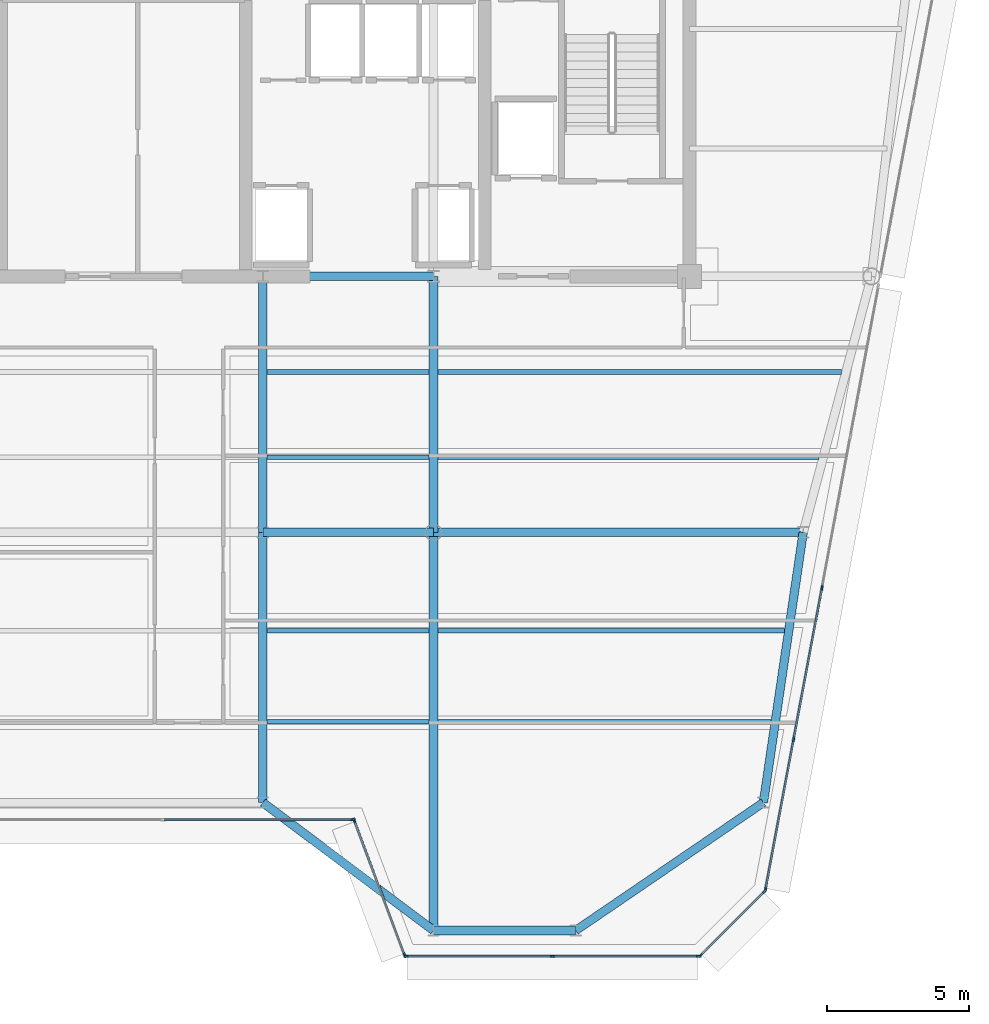
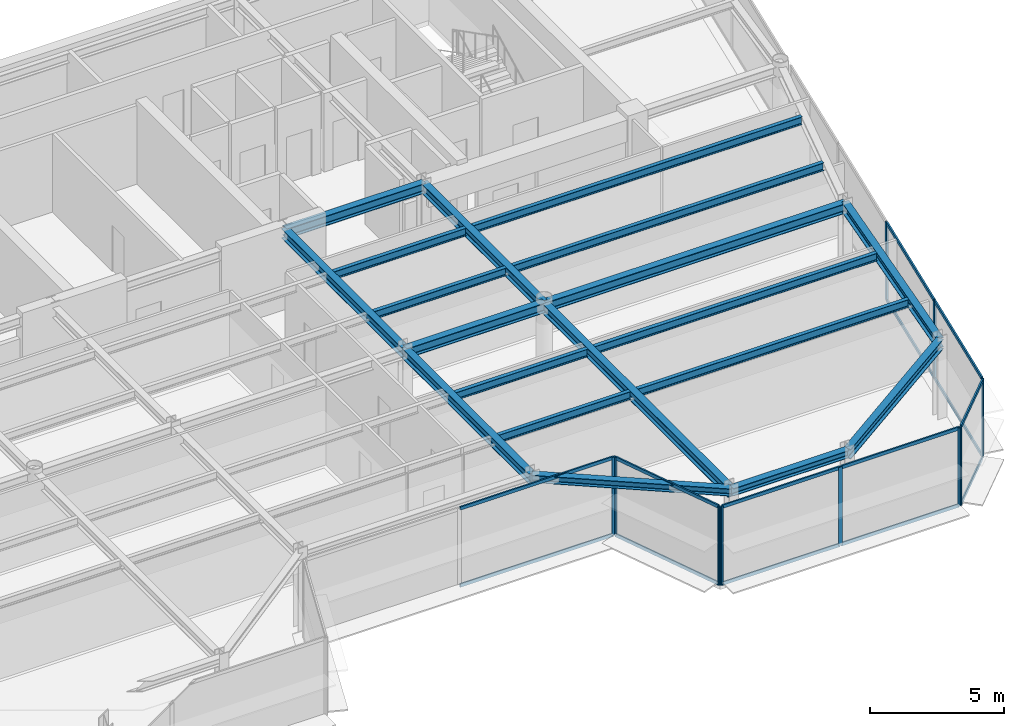
# One storey, part 6 of 20: 25 members, 19 beams, 5 elements without a shape of their own.
"""IFC4 building model written with IfcOpenShell, lengths in metres."""

import ifcopenshell
import ifcopenshell.guid

model = None  # the IFC model being written
_history = None  # IfcOwnerHistory: only IFC2X3 demands one
_inside = {}  # id of a spatial element -> (the spatial element, [elements in it])
_under = {}  # id of a project, library or spatial element -> (it, [spatial elements below it])
_declared = {}  # id of a project -> (the project, [libraries it declares])
_typed = {}  # id of a type object -> (the type object, [elements of that type])
_made_of = {}  # id of a material, layer set ... -> (it, [elements and type objects made of it])


def new_model(schema):
    """Start an empty IFC model of exactly this schema.

    Asked for "IFC4X3", IfcOpenShell would pick the latest addendum, in which some entities
    have other attributes; the version numbers below select the first issue.
    IFC2X3 requires an IfcOwnerHistory on every rooted entity: one is made here for all.
    """
    global model, _history
    if schema == "IFC4X3":
        model = ifcopenshell.file(schema_version=(4, 3, 0, 0))
    else:
        model = ifcopenshell.file(schema=schema)
    _inside.clear()
    _under.clear()
    _declared.clear()
    _typed.clear()
    _made_of.clear()
    _history = None
    if model.schema == "IFC2X3":
        org = make("IfcOrganization", Name="unknown")
        user = make(
            "IfcPersonAndOrganization",
            ThePerson=make("IfcPerson", FamilyName="unknown"),
            TheOrganization=org,
        )
        app = make(
            "IfcApplication",
            ApplicationDeveloper=org,
            Version="unknown",
            ApplicationFullName="unknown",
            ApplicationIdentifier="unknown",
        )
        _history = make(
            "IfcOwnerHistory",
            OwningUser=user,
            OwningApplication=app,
            ChangeAction="ADDED",
            CreationDate=0,
        )
    return model


def make(cls, **values):
    """One entity of the class cls with the attributes given. An attribute that is None is left unset."""
    return model.create_entity(
        cls, **{name: value for name, value in values.items() if value is not None}
    )


def rooted(cls, **values):
    """An entity with a GlobalId (a new one), such as an element, a storey or a relation."""
    return make(cls, GlobalId=ifcopenshell.guid.new(), OwnerHistory=_history, **values)


def si_unit(unit_type, name, prefix=None):
    """IfcSIUnit, for example si_unit("LENGTHUNIT", "METRE", prefix="MILLI")."""
    return make("IfcSIUnit", UnitType=unit_type, Prefix=prefix, Name=name)


def assignment(units):
    """IfcUnitAssignment: the units of a project."""
    return None if units is None else make("IfcUnitAssignment", Units=units)


def point(xyz):
    """IfcCartesianPoint."""
    return None if xyz is None else make("IfcCartesianPoint", Coordinates=xyz)


def direction(xyz):
    """IfcDirection."""
    return None if xyz is None else make("IfcDirection", DirectionRatios=xyz)


def frame(location, z_axis=None, x_axis=None):
    """IfcAxis2Placement3D, a coordinate frame: its origin and axes. An axis left out is left unset."""
    return make(
        "IfcAxis2Placement3D",
        Location=point(location),
        Axis=direction(z_axis),
        RefDirection=direction(x_axis),
    )


def frame_2d(location, x_axis=None):
    """IfcAxis2Placement2D, a coordinate frame in the plane: its origin and x axis."""
    return make(
        "IfcAxis2Placement2D", Location=point(location), RefDirection=direction(x_axis)
    )


def origin():
    """The frame at (0, 0, 0) with its axes left unset."""
    return frame((0.0, 0.0, 0.0))


def origin_2d():
    """The frame at (0, 0) in the plane with its x axis left unset."""
    return frame_2d((0.0, 0.0))


def place(relative_to, where):
    """IfcLocalPlacement: puts the frame where relative to a parent placement (None: the world)."""
    return make(
        "IfcLocalPlacement", PlacementRelTo=relative_to, RelativePlacement=where
    )


def context(
    kind, dimensions, precision=None, world=None, true_north=None, identifier=None
):
    """IfcGeometricRepresentationContext, for example the 3D "Model" context."""
    return make(
        "IfcGeometricRepresentationContext",
        ContextIdentifier=identifier,
        ContextType=kind,
        CoordinateSpaceDimension=dimensions,
        Precision=precision,
        WorldCoordinateSystem=world,
        TrueNorth=true_north,
    )


def subcontext(parent, identifier, kind, view, scale=None):
    """IfcGeometricRepresentationSubContext, for example "Body" below "Model"."""
    return make(
        "IfcGeometricRepresentationSubContext",
        ContextIdentifier=identifier,
        ContextType=kind,
        ParentContext=parent,
        TargetScale=scale,
        TargetView=view,
    )


def project(units=None, contexts=None):
    """IfcProject with its units and contexts."""
    return rooted(
        "IfcProject",
        Name="project",
        RepresentationContexts=contexts,
        UnitsInContext=assignment(units),
    )


def spatial(cls, under=None, at=None, **own):
    """A site, building, storey or space (cls), placed at a placement, below another one or the project."""
    s = rooted(cls, ObjectPlacement=at, **own)
    if under is not None:
        _under.setdefault(under.id(), (under, []))[1].append(s)
    return s


def profile(cls, at=None, kind="AREA", **sizes):
    """A parametric profile (cls). Its sizes go by their IFC names, for example OverallWidth=200.0."""
    return make(cls, ProfileType=kind, Position=at, **sizes)


def rectangle(**sizes):
    """IfcRectangleProfileDef."""
    return profile("IfcRectangleProfileDef", **sizes)


def i_section(**sizes):
    """IfcIShapeProfileDef."""
    return profile("IfcIShapeProfileDef", **sizes)


def extrude(swept, where, along, depth):
    """IfcExtrudedAreaSolid: the profile swept, set in the frame where, extruded along a direction by depth."""
    return make(
        "IfcExtrudedAreaSolid",
        SweptArea=swept,
        Position=where,
        ExtrudedDirection=direction(along),
        Depth=depth,
    )


def shape(context_of_items, identifier, shape_type, items):
    """IfcShapeRepresentation: the items that make up one representation, for example the "Body"."""
    return make(
        "IfcShapeRepresentation",
        ContextOfItems=context_of_items,
        RepresentationIdentifier=identifier,
        RepresentationType=shape_type,
        Items=items,
    )


def source(mapping_origin, context_of_items, identifier, shape_type, items):
    """IfcRepresentationMap: a shape defined once, which mapped items show again and again."""
    return make(
        "IfcRepresentationMap",
        MappingOrigin=mapping_origin,
        MappedRepresentation=shape(context_of_items, identifier, shape_type, items),
    )


def transform(
    local_origin,
    x_axis=None,
    y_axis=None,
    z_axis=None,
    scale=None,
    scale2=None,
    scale3=None,
    uniform=True,
):
    """IfcCartesianTransformationOperator3D, or its non-uniform kind. x_axis, y_axis, z_axis: its Axis1, 2, 3."""
    if uniform:
        return make(
            "IfcCartesianTransformationOperator3D",
            Axis1=direction(x_axis),
            Axis2=direction(y_axis),
            LocalOrigin=point(local_origin),
            Scale=scale,
            Axis3=direction(z_axis),
        )
    return make(
        "IfcCartesianTransformationOperator3DnonUniform",
        Axis1=direction(x_axis),
        Axis2=direction(y_axis),
        LocalOrigin=point(local_origin),
        Scale=scale,
        Axis3=direction(z_axis),
        Scale2=scale2,
        Scale3=scale3,
    )


def mapped(mapping_source, mapping_target):
    """IfcMappedItem: shows the shape of a source again, moved by a transform."""
    return make(
        "IfcMappedItem", MappingSource=mapping_source, MappingTarget=mapping_target
    )


def material(Name=None, Category=None):
    """IfcMaterial."""
    return make("IfcMaterial", Name=Name, Category=Category)


def layer(
    of_material, thickness, ventilated=None, Name=None, Category=None, Priority=None
):
    """IfcMaterialLayer: one layer of a wall or slab, of a material (None: an air gap)."""
    return make(
        "IfcMaterialLayer",
        Material=of_material,
        LayerThickness=thickness,
        IsVentilated=ventilated,
        Name=Name,
        Category=Category,
        Priority=Priority,
    )


def layer_set(layers, Name=None):
    """IfcMaterialLayerSet."""
    return make("IfcMaterialLayerSet", MaterialLayers=layers, LayerSetName=Name)


def material_profile(
    of_material, cross_section, Name=None, Category=None, Priority=None
):
    """IfcMaterialProfile: a cross section and its material."""
    return make(
        "IfcMaterialProfile",
        Name=Name,
        Material=of_material,
        Profile=cross_section,
        Priority=Priority,
        Category=Category,
    )


def profile_set(profiles, Name=None, composite=None):
    """IfcMaterialProfileSet."""
    return make(
        "IfcMaterialProfileSet",
        Name=Name,
        MaterialProfiles=profiles,
        CompositeProfile=composite,
    )


def made_of(thing, what):
    """Note that an element or type object is made of a material, layer set ...; save() writes the relation."""
    if what is not None:
        _made_of.setdefault(what.id(), (what, []))[1].append(thing)
    return thing


def type_object(cls, material=None, **own):
    """A type object (cls), such as IfcWallType, which elements share."""
    return made_of(rooted(cls, **own), material)


def element(
    cls,
    number,
    at=None,
    inside=None,
    cuts=None,
    type_object=None,
    material=None,
    context=None,
    identifier="Body",
    shape_type=None,
    held_by="IfcProductDefinitionShape",
    body=None,
    shapes=None,
    **own,
):
    """One element of the class cls, such as IfcWall. Its Tag is "e" and its number.

    at: its placement. inside: the storey or other place that contains it. cuts: it is an
    opening in that element (IfcRelVoidsElement). A single representation is given by context,
    identifier, shape_type and body (its items); several are given by shapes. held_by: the class
    of the entity that holds the representations. save() writes the other relations.
    """
    e = rooted(cls, Tag="e%d" % number, ObjectPlacement=at, **own)
    if body is not None:
        shapes = [shape(context, identifier, shape_type, body)]
    if shapes is not None:
        e.Representation = make(held_by, Representations=shapes)
    if inside is not None:
        _inside.setdefault(inside.id(), (inside, []))[1].append(e)
    if cuts is not None:
        rooted(
            "IfcRelVoidsElement", RelatingBuildingElement=cuts, RelatedOpeningElement=e
        )
    if type_object is not None:
        _typed.setdefault(type_object.id(), (type_object, []))[1].append(e)
    return made_of(e, material)


def aggregate(whole, parts):
    """IfcRelAggregates: a whole, such as a stair, and the parts it consists of."""
    return rooted("IfcRelAggregates", RelatingObject=whole, RelatedObjects=parts)


def save(model, path):
    """Write the relations noted so far, then the file.

    IfcRelAggregates (storeys below a building ...), IfcRelContainedInSpatialStructure (elements
    in a storey), IfcRelDefinesByType, IfcRelAssociatesMaterial and IfcRelDeclares: one each for
    every whole, place, type object, material and project.
    """
    for whole, parts in _under.values():
        aggregate(whole, parts)
    for where, things in _inside.values():
        rooted(
            "IfcRelContainedInSpatialStructure",
            RelatedElements=things,
            RelatingStructure=where,
        )
    for kind, things in _typed.values():
        rooted("IfcRelDefinesByType", RelatedObjects=things, RelatingType=kind)
    for what, things in _made_of.values():
        rooted("IfcRelAssociatesMaterial", RelatedObjects=things, RelatingMaterial=what)
    for by, libraries in _declared.values():
        rooted("IfcRelDeclares", RelatingContext=by, RelatedDefinitions=libraries)
    model.write(path)


model = new_model("IFC4")

# Units and contexts
model_context = context("Model", 3, precision=1e-05, world=origin(), true_north=direction((0.0, 1.0)))
body_context = subcontext(model_context, "Body", "Model", "MODEL_VIEW")
ifc_project = project(units=[si_unit("LENGTHUNIT", "METRE"), si_unit("AREAUNIT", "SQUARE_METRE"), si_unit("VOLUMEUNIT", "CUBIC_METRE"), si_unit("PLANEANGLEUNIT", "RADIAN"), si_unit("MASSUNIT", "GRAM", prefix="KILO")], contexts=[model_context])

# Site, building, storey
site_placement = place(None, origin())
site = spatial("IfcSite", under=ifc_project, at=site_placement, CompositionType="ELEMENT")
building_placement = place(site_placement, origin())
building = spatial("IfcBuilding", under=site, at=building_placement, Name="Vaeldorn Concourse Tower", CompositionType="ELEMENT")
storey_placement = place(building_placement, frame((0.0, 0.0, 280.199951171875)))
storey = spatial("IfcBuildingStorey", under=building, at=storey_placement, Name="L72", CompositionType="ELEMENT", Elevation=280.199951171875)

# Beams
ifc_material_1 = material(Name="Steel S355", Category="steel")
ifc_material_profile_1 = material_profile(ifc_material_1, i_section(OverallWidth=0.300048828125, OverallDepth=0.449951171875, WebThickness=0.013916015625, FlangeThickness=0.02587890625, FilletRadius=0.027099609375, at=origin_2d()), Name="HEB 450")
ifc_profile_set_1 = profile_set([ifc_material_profile_1], Name="Steel S355")
beam_type_1 = type_object("IfcBeamType", Name="BM-PG-HEB450", PredefinedType="BEAM", material=ifc_profile_set_1)
shared_shape_1 = source(origin(), body_context, "Body", "SweptSolid", [
    extrude(i_section(OverallWidth=0.300048828125, OverallDepth=0.449951171875, WebThickness=0.013916015625, FlangeThickness=0.02587890625, FilletRadius=0.027099609375, at=origin_2d()), origin(), (0.0, 0.0, 1.0), 6.0),
])
for number, where, z_axis, x_axis, name in (
    (1, (39.0, 36.5, 3.35498046875), (1.0, 0.0, 0.0), (0.0, 1.0, 0.0), "Beam BM-L72-C-FC4-C-FC5"),
    (2, (39.0, 27.5, 3.35498046875), (1.0, 0.0, 0.0), (0.0, 1.0, 0.0), "Beam BM-L72-C-TW3-C-TW4"),
):
    element("IfcBeam", number, at=place(storey_placement, frame(where, z_axis=z_axis, x_axis=x_axis)), inside=storey, type_object=beam_type_1, Name=name, PredefinedType="BEAM", context=body_context, shape_type="MappedRepresentation", body=[
        mapped(shared_shape_1, transform((0.0, 0.0, 0.0), scale=1.0)),
    ])
ifc_material_profile_2 = material_profile(ifc_material_1, i_section(OverallWidth=0.169921875, OverallDepth=0.360107421875, WebThickness=0.008056640625, FlangeThickness=0.0126953125, FilletRadius=0.01806640625, at=origin_2d()), Name="IPE 360")
ifc_profile_set_2 = profile_set([ifc_material_profile_2], Name="Steel S355")
beam_type_2 = type_object("IfcBeamType", Name="BM-JS-IPE360", PredefinedType="JOIST", material=ifc_profile_set_2)
shared_shape_2 = source(origin(), body_context, "Body", "SweptSolid", [
    extrude(i_section(OverallWidth=0.169921875, OverallDepth=0.360107421875, WebThickness=0.008056640625, FlangeThickness=0.0126953125, FilletRadius=0.01806640625, at=origin_2d()), origin(), (0.0, 0.0, 1.0), 5.7001953125),
])
for number, where, z_axis, x_axis, name in (
    (3, (39.14990234375, 20.840087890625, 3.400146484375), (1.0, 0.0, 0.0), (0.0, 1.0, 0.0), "Beam JS-L72-E2-208"),
    (4, (39.14990234375, 24.0400390625, 3.400146484375), (1.0, 0.0, 0.0), (0.0, 1.0, 0.0), "Beam JS-L72-E2-240"),
    (5, (39.14990234375, 30.139892578125, 3.400146484375), (1.0, 0.0, 0.0), (0.0, 1.0, 0.0), "Beam JS-L72-E2-301"),
    (6, (39.14990234375, 33.139892578125, 3.400146484375), (1.0, 0.0, 0.0), (0.0, 1.0, 0.0), "Beam JS-L72-E2-331"),
):
    element("IfcBeam", number, at=place(storey_placement, frame(where, z_axis=z_axis, x_axis=x_axis)), inside=storey, type_object=beam_type_2, Name=name, PredefinedType="JOIST", context=body_context, shape_type="MappedRepresentation", body=[
        mapped(shared_shape_2, transform((0.0, 0.0, 0.0), scale=1.0)),
    ])
ifc_material_profile_3 = material_profile(ifc_material_1, i_section(OverallWidth=0.300048828125, OverallDepth=0.340087890625, WebThickness=0.011962890625, FlangeThickness=0.021484375, FilletRadius=0.027099609375, at=origin_2d()), Name="HEB 340")
ifc_profile_set_3 = profile_set([ifc_material_profile_3], Name="Steel S355")
beam_type_3 = type_object("IfcBeamType", Name="BM-SP-HEB340", PredefinedType="SPANDREL", material=ifc_profile_set_3)
shared_shape_3 = source(origin(), body_context, "Body", "SweptSolid", [
    extrude(i_section(OverallWidth=0.300048828125, OverallDepth=0.340087890625, WebThickness=0.011962890625, FlangeThickness=0.021484375, FilletRadius=0.027099609375, at=origin_2d()), origin(), (0.0, 0.0, 1.0), 5.0),
])
beam_1_placement = place(storey_placement, frame((45.0, 13.5, 3.41015625), z_axis=(1.0, 0.0, 0.0), x_axis=(0.0, 1.0, 0.0)))
element("IfcBeam", 7, at=beam_1_placement, inside=storey, type_object=beam_type_3, Name="Beam BM-L72-C-SF5-C-SF6", PredefinedType="SPANDREL", context=body_context, shape_type="MappedRepresentation", body=[
    mapped(shared_shape_3, transform((0.0, 0.0, 0.0), scale=1.0)),
])
shared_shape_4 = source(origin(), body_context, "Body", "SweptSolid", [
    extrude(i_section(OverallWidth=0.300048828125, OverallDepth=0.340087890625, WebThickness=0.011962890625, FlangeThickness=0.021484375, FilletRadius=0.027099609375, at=origin_2d()), origin(), (0.0, 0.0, 1.0), 7.5),
])
beam_2_placement = place(storey_placement, frame((39.0, 18.0, 3.41015625), z_axis=(0.8, -0.6, 0.0), x_axis=(0.6, 0.8, 0.0)))
element("IfcBeam", 8, at=beam_2_placement, inside=storey, type_object=beam_type_3, Name="Beam BM-L72-C-SF4-C-SF5", PredefinedType="SPANDREL", context=body_context, shape_type="MappedRepresentation", body=[
    mapped(shared_shape_4, transform((0.0, 0.0, 0.0), scale=1.0)),
])
shared_shape_5 = source(origin(), body_context, "Body", "SweptSolid", [
    extrude(i_section(OverallWidth=0.300048828125, OverallDepth=0.449951171875, WebThickness=0.013916015625, FlangeThickness=0.02587890625, FilletRadius=0.027099609375, at=origin_2d()), origin(), (0.0, 0.0, 1.0), 9.0),
])
for number, where, z_axis, x_axis, name in (
    (9, (39.0, 27.5, 3.35498046875), (0.0, 1.0, 0.0), (-1.0, 0.0, 0.0), "Beam BM-L72-C-TW3-C-FC4"),
    (10, (45.0, 27.5, 3.35498046875), (0.0, 1.0, 0.0), (-1.0, 0.0, 0.0), "Beam BM-L72-C-TW4-C-FC5"),
):
    element("IfcBeam", number, at=place(storey_placement, frame(where, z_axis=z_axis, x_axis=x_axis)), inside=storey, type_object=beam_type_1, Name=name, PredefinedType="BEAM", context=body_context, shape_type="MappedRepresentation", body=[
        mapped(shared_shape_5, transform((0.0, 0.0, 0.0), scale=1.0)),
    ])
shared_shape_6 = source(origin(), body_context, "Body", "SweptSolid", [
    extrude(i_section(OverallWidth=0.300048828125, OverallDepth=0.449951171875, WebThickness=0.013916015625, FlangeThickness=0.02587890625, FilletRadius=0.027099609375, at=origin_2d()), origin(), (0.0, 0.0, 1.0), 14.0),
])
beam_3_placement = place(storey_placement, frame((45.0, 13.5, 3.35498046875), z_axis=(0.0, 1.0, 0.0), x_axis=(-1.0, 0.0, 0.0)))
element("IfcBeam", 11, at=beam_3_placement, inside=storey, type_object=beam_type_1, Name="Beam BM-L72-C-SF5-C-TW4", PredefinedType="BEAM", context=body_context, shape_type="MappedRepresentation", body=[
    mapped(shared_shape_6, transform((0.0, 0.0, 0.0), scale=1.0)),
])
shared_shape_7 = source(origin(), body_context, "Body", "SweptSolid", [
    extrude(i_section(OverallWidth=0.300048828125, OverallDepth=0.449951171875, WebThickness=0.013916015625, FlangeThickness=0.02587890625, FilletRadius=0.027099609375, at=origin_2d()), origin(), (0.0, 0.0, 1.0), 13.0),
])
beam_4_placement = place(storey_placement, frame((45.0, 27.5, 3.35498046875), z_axis=(1.0, 0.0, 0.0), x_axis=(0.0, 1.0, 0.0)))
element("IfcBeam", 12, at=beam_4_placement, inside=storey, type_object=beam_type_1, Name="Beam BM-L72-C-TW4-C-FLE1", PredefinedType="BEAM", context=body_context, shape_type="MappedRepresentation", body=[
    mapped(shared_shape_7, transform((0.0, 0.0, 0.0), scale=1.0)),
])
shared_shape_8 = source(origin(), body_context, "Body", "SweptSolid", [
    extrude(i_section(OverallWidth=0.300048828125, OverallDepth=0.449951171875, WebThickness=0.013916015625, FlangeThickness=0.02587890625, FilletRadius=0.027099609375, at=origin_2d()), origin(), (0.0, 0.0, 1.0), 9.6025390625),
])
beam_5_placement = place(storey_placement, frame((58.0, 27.5, 3.35498046875), z_axis=(-0.145783835977, -0.989316467652, 0.0), x_axis=(0.989316467652, -0.145783835977, 0.0)))
element("IfcBeam", 13, at=beam_5_placement, inside=storey, type_object=beam_type_1, Name="Beam BM-L72-C-FLE1-C-FLE2", PredefinedType="BEAM", context=body_context, shape_type="MappedRepresentation", body=[
    mapped(shared_shape_8, transform((0.0, 0.0, 0.0), scale=1.0)),
])
shared_shape_9 = source(origin(), body_context, "Body", "SweptSolid", [
    extrude(i_section(OverallWidth=0.300048828125, OverallDepth=0.449951171875, WebThickness=0.013916015625, FlangeThickness=0.02587890625, FilletRadius=0.027099609375, at=origin_2d()), origin(), (0.0, 0.0, 1.0), 7.98828125),
])
beam_6_placement = place(storey_placement, frame((50.0, 13.5, 3.35498046875), z_axis=(0.826231222393, 0.56333113454, 0.0), x_axis=(-0.56333113454, 0.826231222393, 0.0)))
element("IfcBeam", 14, at=beam_6_placement, inside=storey, type_object=beam_type_1, Name="Beam BM-L72-C-SF6-C-FLE2", PredefinedType="BEAM", context=body_context, shape_type="MappedRepresentation", body=[
    mapped(shared_shape_9, transform((0.0, 0.0, 0.0), scale=1.0)),
])
shared_shape_10 = source(origin(), body_context, "Body", "SweptSolid", [
    extrude(i_section(OverallWidth=0.300048828125, OverallDepth=0.449951171875, WebThickness=0.013916015625, FlangeThickness=0.02587890625, FilletRadius=0.027099609375, at=origin_2d()), origin(), (0.0, 0.0, 1.0), 9.5),
])
beam_7_placement = place(storey_placement, frame((39.0, 18.0, 3.35498046875), z_axis=(0.0, 1.0, 0.0), x_axis=(-1.0, 0.0, 0.0)))
element("IfcBeam", 15, at=beam_7_placement, inside=storey, type_object=beam_type_1, Name="Beam BM-L72-C-SF4-C-TW3", PredefinedType="BEAM", context=body_context, shape_type="MappedRepresentation", body=[
    mapped(shared_shape_10, transform((0.0, 0.0, 0.0), scale=1.0)),
])
shared_shape_11 = source(origin(), body_context, "Body", "SweptSolid", [
    extrude(i_section(OverallWidth=0.169921875, OverallDepth=0.360107421875, WebThickness=0.008056640625, FlangeThickness=0.0126953125, FilletRadius=0.01806640625, at=origin_2d()), origin(), (0.0, 0.0, 1.0), 11.718505859375),
])
beam_8_placement = place(storey_placement, frame((45.14990234375, 20.840087890625, 3.400146484375), z_axis=(1.0, 0.0, 0.0), x_axis=(0.0, 1.0, 0.0)))
element("IfcBeam", 16, at=beam_8_placement, inside=storey, type_object=beam_type_2, Name="Beam JS-L72-E1-208", PredefinedType="JOIST", context=body_context, shape_type="MappedRepresentation", body=[
    mapped(shared_shape_11, transform((0.0, 0.0, 0.0), scale=1.0)),
])
shared_shape_12 = source(origin(), body_context, "Body", "SweptSolid", [
    extrude(i_section(OverallWidth=0.169921875, OverallDepth=0.360107421875, WebThickness=0.008056640625, FlangeThickness=0.0126953125, FilletRadius=0.01806640625, at=origin_2d()), origin(), (0.0, 0.0, 1.0), 12.190185546875),
])
beam_9_placement = place(storey_placement, frame((45.14990234375, 24.0400390625, 3.400146484375), z_axis=(1.0, 0.0, 0.0), x_axis=(0.0, 1.0, 0.0)))
element("IfcBeam", 17, at=beam_9_placement, inside=storey, type_object=beam_type_2, Name="Beam JS-L72-E1-240", PredefinedType="JOIST", context=body_context, shape_type="MappedRepresentation", body=[
    mapped(shared_shape_12, transform((0.0, 0.0, 0.0), scale=1.0)),
])
shared_shape_13 = source(origin(), body_context, "Body", "SweptSolid", [
    extrude(i_section(OverallWidth=0.169921875, OverallDepth=0.360107421875, WebThickness=0.008056640625, FlangeThickness=0.0126953125, FilletRadius=0.01806640625, at=origin_2d()), origin(), (0.0, 0.0, 1.0), 13.404052734375),
])
beam_10_placement = place(storey_placement, frame((45.14990234375, 30.139892578125, 3.400146484375), z_axis=(1.0, 0.0, 0.0), x_axis=(0.0, 1.0, 0.0)))
element("IfcBeam", 18, at=beam_10_placement, inside=storey, type_object=beam_type_2, Name="Beam JS-L72-E1-301", PredefinedType="JOIST", context=body_context, shape_type="MappedRepresentation", body=[
    mapped(shared_shape_13, transform((0.0, 0.0, 0.0), scale=1.0)),
])
shared_shape_14 = source(origin(), body_context, "Body", "SweptSolid", [
    extrude(i_section(OverallWidth=0.169921875, OverallDepth=0.360107421875, WebThickness=0.008056640625, FlangeThickness=0.0126953125, FilletRadius=0.01806640625, at=origin_2d()), origin(), (0.0, 0.0, 1.0), 14.2041015625),
])
beam_11_placement = place(storey_placement, frame((45.14990234375, 33.139892578125, 3.400146484375), z_axis=(1.0, 0.0, 0.0), x_axis=(0.0, 1.0, 0.0)))
element("IfcBeam", 19, at=beam_11_placement, inside=storey, type_object=beam_type_2, Name="Beam JS-L72-E1-331", PredefinedType="JOIST", context=body_context, shape_type="MappedRepresentation", body=[
    mapped(shared_shape_14, transform((0.0, 0.0, 0.0), scale=1.0)),
])

# Curtain wall, members
ifc_material_2 = material(Name="Anodised Bronze Aluminium", Category="aluminium")
ifc_layer = layer(ifc_material_2, 0.179931640625)
ifc_layer_set = layer_set([ifc_layer], Name="Anodised Bronze Aluminium")
curtain_wall_type = type_object("IfcCurtainWallType", Name="CW-SYS-05", PredefinedType="NOTDEFINED", material=ifc_layer_set)
curtain_wall_1_placement = place(storey_placement, origin())
curtain_wall_1 = element("IfcCurtainWall", 20, at=curtain_wall_1_placement, inside=storey, type_object=curtain_wall_type, Name="Unitised Curtain Wall CW-L72-E04-1", PredefinedType="NOTDEFINED")
ifc_material_profile_4 = material_profile(ifc_material_2, rectangle(XDim=0.06494140625, YDim=0.14990234375, at=origin_2d()), Name="CWT 65x150")
ifc_profile_set_4 = profile_set([ifc_material_profile_4], Name="Anodised Bronze Aluminium")
member_type_1 = type_object("IfcMemberType", Name="CWT-BRONZE-150", PredefinedType="USERDEFINED", material=ifc_profile_set_4)
shared_shape_15 = source(origin(), body_context, "Body", "SweptSolid", [
    extrude(rectangle(XDim=0.06494140625, YDim=0.14990234375, at=origin_2d()), origin(), (0.0, 0.0, 1.0), 4.996337890625),
])
member_1_placement = place(storey_placement, frame((42.222900390625, 17.339111328125, 0.032470703125), z_axis=(0.351134151405, -0.936325161318, 0.0), x_axis=(0.936325161318, 0.351134151405, 0.0)))
member_1 = element("IfcMember", 21, at=member_1_placement, type_object=member_type_1, Name="CW-05 transom 1.1", ObjectType="TRANSOM", PredefinedType="USERDEFINED", context=body_context, shape_type="MappedRepresentation", body=[
    mapped(shared_shape_15, transform((0.0, 0.0, 0.0), scale=1.0)),
])
member_2_placement = place(storey_placement, frame((42.222900390625, 17.339111328125, 3.547607421875), z_axis=(0.351134151405, -0.936325161318, 0.0), x_axis=(0.936325161318, 0.351134151405, 0.0)))
member_2 = element("IfcMember", 22, at=member_2_placement, type_object=member_type_1, Name="CW-05 transom 1.2", ObjectType="TRANSOM", PredefinedType="USERDEFINED", context=body_context, shape_type="MappedRepresentation", body=[
    mapped(shared_shape_15, transform((0.0, 0.0, 0.0), scale=1.0)),
])

curtain_wall_2_placement = place(storey_placement, origin())
curtain_wall_2 = element("IfcCurtainWall", 23, at=curtain_wall_2_placement, inside=storey, type_object=curtain_wall_type, Name="Unitised Curtain Wall CW-L72-E03-1", PredefinedType="NOTDEFINED")
shared_shape_16 = source(origin(), body_context, "Body", "SweptSolid", [
    extrude(rectangle(XDim=0.06494140625, YDim=0.14990234375, at=origin_2d()), origin(), (0.0, 0.0, 1.0), 6.6025390625),
])
member_3_placement = place(storey_placement, frame((35.532470703125, 17.39990234375, 0.032470703125), z_axis=(1.0, 0.0, 0.0), x_axis=(0.0, 1.0, 0.0)))
member_3 = element("IfcMember", 24, at=member_3_placement, type_object=member_type_1, Name="CW-05 transom 2.1", ObjectType="TRANSOM", PredefinedType="USERDEFINED", context=body_context, shape_type="MappedRepresentation", body=[
    mapped(shared_shape_16, transform((0.0, 0.0, 0.0), scale=1.0)),
])
member_4_placement = place(storey_placement, frame((35.532470703125, 17.39990234375, 3.547607421875), z_axis=(1.0, 0.0, 0.0), x_axis=(0.0, 1.0, 0.0)))
member_4 = element("IfcMember", 25, at=member_4_placement, type_object=member_type_1, Name="CW-05 transom 2.2", ObjectType="TRANSOM", PredefinedType="USERDEFINED", context=body_context, shape_type="MappedRepresentation", body=[
    mapped(shared_shape_16, transform((0.0, 0.0, 0.0), scale=1.0)),
])

curtain_wall_3_placement = place(storey_placement, origin())
curtain_wall_3 = element("IfcCurtainWall", 26, at=curtain_wall_3_placement, inside=storey, type_object=curtain_wall_type, Name="Unitised Curtain Wall CW-L72-E06-1", PredefinedType="NOTDEFINED")
shared_shape_17 = source(origin(), body_context, "Body", "SweptSolid", [
    extrude(rectangle(XDim=0.06494140625, YDim=0.14990234375, at=origin_2d()), origin(), (0.0, 0.0, 1.0), 3.12255859375),
])
member_5_placement = place(storey_placement, frame((54.409912109375, 12.64599609375, 0.032470703125), z_axis=(0.707106781187, 0.707106781187, 0.0), x_axis=(-0.707106781187, 0.707106781187, 0.0)))
member_5 = element("IfcMember", 27, at=member_5_placement, type_object=member_type_1, Name="CW-05 transom 1.1", ObjectType="TRANSOM", PredefinedType="USERDEFINED", context=body_context, shape_type="MappedRepresentation", body=[
    mapped(shared_shape_17, transform((0.0, 0.0, 0.0), scale=1.0)),
])
member_6_placement = place(storey_placement, frame((54.409912109375, 12.64599609375, 3.547607421875), z_axis=(0.707106781187, 0.707106781187, 0.0), x_axis=(-0.707106781187, 0.707106781187, 0.0)))
member_6 = element("IfcMember", 28, at=member_6_placement, type_object=member_type_1, Name="CW-05 transom 1.2", ObjectType="TRANSOM", PredefinedType="USERDEFINED", context=body_context, shape_type="MappedRepresentation", body=[
    mapped(shared_shape_17, transform((0.0, 0.0, 0.0), scale=1.0)),
])

# Member
ifc_material_profile_5 = material_profile(ifc_material_2, rectangle(XDim=0.06494140625, YDim=0.169921875, at=origin_2d()), Name="CWM 65x170")
ifc_profile_set_5 = profile_set([ifc_material_profile_5], Name="Anodised Bronze Aluminium")
member_type_2 = type_object("IfcMemberType", Name="CWM-BRONZE-170", PredefinedType="MULLION", material=ifc_profile_set_5)
shared_shape_18 = source(origin(), body_context, "Body", "SweptSolid", [
    extrude(rectangle(XDim=0.06494140625, YDim=0.169921875, at=origin_2d()), origin(), (0.0, 0.0, 1.0), 3.580078125),
])
member_7_placement = place(storey_placement, frame((42.16748046875, 17.39990234375, 0.0), z_axis=(0.0, 0.0, 1.0), x_axis=(0.0, 1.0, 0.0)))
member_7 = element("IfcMember", 29, at=member_7_placement, type_object=member_type_2, Name="CW-05 mullion 3", PredefinedType="MULLION", context=body_context, shape_type="MappedRepresentation", body=[
    mapped(shared_shape_18, transform((0.0, 0.0, 0.0), scale=1.0)),
])

aggregate(curtain_wall_2, [member_7, member_3, member_4])

member_8_placement = place(storey_placement, frame((42.21142578125, 17.36962890625, 0.0), z_axis=(0.0, 0.0, 1.0), x_axis=(0.936329177566, 0.351123441595, 0.0)))
member_8 = element("IfcMember", 30, at=member_8_placement, type_object=member_type_2, Name="CW-05 mullion 1", PredefinedType="MULLION", context=body_context, shape_type="MappedRepresentation", body=[
    mapped(shared_shape_18, transform((0.0, 0.0, 0.0), scale=1.0)),
])

member_9_placement = place(storey_placement, frame((43.988525390625, 12.63037109375, 0.0), z_axis=(0.0, 0.0, 1.0), x_axis=(0.936329177566, 0.351123441595, 0.0)))
member_9 = element("IfcMember", 31, at=member_9_placement, type_object=member_type_2, Name="CW-05 mullion 2", PredefinedType="MULLION", context=body_context, shape_type="MappedRepresentation", body=[
    mapped(shared_shape_18, transform((0.0, 0.0, 0.0), scale=1.0)),
])

aggregate(curtain_wall_1, [member_8, member_9, member_1, member_2])

# Curtain wall, members
curtain_wall_4_placement = place(storey_placement, origin())
curtain_wall_4 = element("IfcCurtainWall", 32, at=curtain_wall_4_placement, inside=storey, type_object=curtain_wall_type, Name="Unitised Curtain Wall CW-L72-E05-1", PredefinedType="NOTDEFINED")
member_10_placement = place(storey_placement, frame((44.032470703125, 12.60009765625, 0.0), z_axis=(0.0, 0.0, 1.0), x_axis=(0.0, 1.0, 0.0)))
member_10 = element("IfcMember", 33, at=member_10_placement, type_object=member_type_2, Name="CW-05 mullion 1", PredefinedType="MULLION", context=body_context, shape_type="MappedRepresentation", body=[
    mapped(shared_shape_18, transform((0.0, 0.0, 0.0), scale=1.0)),
])
member_11_placement = place(storey_placement, frame((49.181884765625, 12.60009765625, 0.0), z_axis=(0.0, 0.0, 1.0), x_axis=(0.0, 1.0, 0.0)))
member_11 = element("IfcMember", 34, at=member_11_placement, type_object=member_type_2, Name="CW-05 mullion 2", PredefinedType="MULLION", context=body_context, shape_type="MappedRepresentation", body=[
    mapped(shared_shape_18, transform((0.0, 0.0, 0.0), scale=1.0)),
])
member_12_placement = place(storey_placement, frame((54.33154296875, 12.60009765625, 0.0), z_axis=(0.0, 0.0, 1.0), x_axis=(0.0, 1.0, 0.0)))
member_12 = element("IfcMember", 35, at=member_12_placement, type_object=member_type_2, Name="CW-05 mullion 3", PredefinedType="MULLION", context=body_context, shape_type="MappedRepresentation", body=[
    mapped(shared_shape_18, transform((0.0, 0.0, 0.0), scale=1.0)),
])

# Member
member_13_placement = place(storey_placement, frame((54.386962890625, 12.623046875, 0.0), z_axis=(0.0, 0.0, 1.0), x_axis=(-0.707106781187, 0.707106781187, 0.0)))
member_13 = element("IfcMember", 36, at=member_13_placement, type_object=member_type_2, Name="CW-05 mullion 1", PredefinedType="MULLION", context=body_context, shape_type="MappedRepresentation", body=[
    mapped(shared_shape_18, transform((0.0, 0.0, 0.0), scale=1.0)),
])

member_14_placement = place(storey_placement, frame((56.64111328125, 14.876953125, 0.0), z_axis=(0.0, 0.0, 1.0), x_axis=(-0.707106781187, 0.707106781187, 0.0)))
member_14 = element("IfcMember", 37, at=member_14_placement, type_object=member_type_2, Name="CW-05 mullion 2", PredefinedType="MULLION", context=body_context, shape_type="MappedRepresentation", body=[
    mapped(shared_shape_18, transform((0.0, 0.0, 0.0), scale=1.0)),
])

aggregate(curtain_wall_3, [member_13, member_14, member_5, member_6])

# Curtain wall, members
curtain_wall_5_placement = place(storey_placement, origin())
curtain_wall_5 = element("IfcCurtainWall", 38, at=curtain_wall_5_placement, inside=storey, type_object=curtain_wall_type, Name="Unitised Curtain Wall CW-L72-E07-1", PredefinedType="NOTDEFINED")
member_15_placement = place(storey_placement, frame((56.669921875, 14.931884765625, 0.0), z_axis=(0.0, 0.0, 1.0), x_axis=(-0.982880027444, 0.184246714088, 0.0)))
member_15 = element("IfcMember", 39, at=member_15_placement, type_object=member_type_2, Name="CW-05 mullion 1", PredefinedType="MULLION", context=body_context, shape_type="MappedRepresentation", body=[
    mapped(shared_shape_18, transform((0.0, 0.0, 0.0), scale=1.0)),
])
member_16_placement = place(storey_placement, frame((57.66162109375, 20.22119140625, 0.0), z_axis=(0.0, 0.0, 1.0), x_axis=(-0.982880027444, 0.184246714088, 0.0)))
member_16 = element("IfcMember", 40, at=member_16_placement, type_object=member_type_2, Name="CW-05 mullion 2", PredefinedType="MULLION", context=body_context, shape_type="MappedRepresentation", body=[
    mapped(shared_shape_18, transform((0.0, 0.0, 0.0), scale=1.0)),
])
member_17_placement = place(storey_placement, frame((58.658935546875, 25.54248046875, 0.0), z_axis=(0.0, 0.0, 1.0), x_axis=(-0.982880027444, 0.184246714088, 0.0)))
member_17 = element("IfcMember", 41, at=member_17_placement, type_object=member_type_2, Name="CW-05 mullion 3", PredefinedType="MULLION", context=body_context, shape_type="MappedRepresentation", body=[
    mapped(shared_shape_18, transform((0.0, 0.0, 0.0), scale=1.0)),
])
shared_shape_19 = source(origin(), body_context, "Body", "SweptSolid", [
    extrude(rectangle(XDim=0.06494140625, YDim=0.14990234375, at=origin_2d()), origin(), (0.0, 0.0, 1.0), 5.31640625),
])
member_18_placement = place(storey_placement, frame((56.676025390625, 14.9638671875, 0.032470703125), z_axis=(0.184241399207, 0.982881023735, 0.0), x_axis=(-0.982881023735, 0.184241399207, 0.0)))
member_18 = element("IfcMember", 42, at=member_18_placement, type_object=member_type_1, Name="CW-05 transom 1.1", ObjectType="TRANSOM", PredefinedType="USERDEFINED", context=body_context, shape_type="MappedRepresentation", body=[
    mapped(shared_shape_19, transform((0.0, 0.0, 0.0), scale=1.0)),
])
member_19_placement = place(storey_placement, frame((56.676025390625, 14.9638671875, 3.547607421875), z_axis=(0.184241399207, 0.982881023735, 0.0), x_axis=(-0.982881023735, 0.184241399207, 0.0)))
member_19 = element("IfcMember", 43, at=member_19_placement, type_object=member_type_1, Name="CW-05 transom 1.2", ObjectType="TRANSOM", PredefinedType="USERDEFINED", context=body_context, shape_type="MappedRepresentation", body=[
    mapped(shared_shape_19, transform((0.0, 0.0, 0.0), scale=1.0)),
])
shared_shape_20 = source(origin(), body_context, "Body", "SweptSolid", [
    extrude(rectangle(XDim=0.06494140625, YDim=0.14990234375, at=origin_2d()), origin(), (0.0, 0.0, 1.0), 5.348876953125),
])
member_20_placement = place(storey_placement, frame((57.66748046875, 20.253173828125, 0.032470703125), z_axis=(0.184260976912, 0.982877353685, 0.0), x_axis=(-0.982877353685, 0.184260976912, 0.0)))
member_20 = element("IfcMember", 44, at=member_20_placement, type_object=member_type_1, Name="CW-05 transom 2.1", ObjectType="TRANSOM", PredefinedType="USERDEFINED", context=body_context, shape_type="MappedRepresentation", body=[
    mapped(shared_shape_20, transform((0.0, 0.0, 0.0), scale=1.0)),
])
member_21_placement = place(storey_placement, frame((57.66748046875, 20.253173828125, 3.547607421875), z_axis=(0.184260976912, 0.982877353685, 0.0), x_axis=(-0.982877353685, 0.184260976912, 0.0)))
member_21 = element("IfcMember", 45, at=member_21_placement, type_object=member_type_1, Name="CW-05 transom 2.2", ObjectType="TRANSOM", PredefinedType="USERDEFINED", context=body_context, shape_type="MappedRepresentation", body=[
    mapped(shared_shape_20, transform((0.0, 0.0, 0.0), scale=1.0)),
])
aggregate(curtain_wall_5, [member_15, member_16, member_17, member_18, member_19, member_20, member_21])

# Member
shared_shape_21 = source(origin(), body_context, "Body", "SweptSolid", [
    extrude(rectangle(XDim=0.06494140625, YDim=0.14990234375, at=origin_2d()), origin(), (0.0, 0.0, 1.0), 5.08447265625),
])
member_22_placement = place(storey_placement, frame((44.06494140625, 12.60009765625, 0.032470703125), z_axis=(1.0, 0.0, 0.0), x_axis=(0.0, 1.0, 0.0)))
member_22 = element("IfcMember", 46, at=member_22_placement, type_object=member_type_1, Name="CW-05 transom 1.1", ObjectType="TRANSOM", PredefinedType="USERDEFINED", context=body_context, shape_type="MappedRepresentation", body=[
    mapped(shared_shape_21, transform((0.0, 0.0, 0.0), scale=1.0)),
])

member_23_placement = place(storey_placement, frame((44.06494140625, 12.60009765625, 3.547607421875), z_axis=(1.0, 0.0, 0.0), x_axis=(0.0, 1.0, 0.0)))
member_23 = element("IfcMember", 47, at=member_23_placement, type_object=member_type_1, Name="CW-05 transom 1.2", ObjectType="TRANSOM", PredefinedType="USERDEFINED", context=body_context, shape_type="MappedRepresentation", body=[
    mapped(shared_shape_21, transform((0.0, 0.0, 0.0), scale=1.0)),
])

member_24_placement = place(storey_placement, frame((49.214599609375, 12.60009765625, 0.032470703125), z_axis=(1.0, 0.0, 0.0), x_axis=(0.0, 1.0, 0.0)))
member_24 = element("IfcMember", 48, at=member_24_placement, type_object=member_type_1, Name="CW-05 transom 2.1", ObjectType="TRANSOM", PredefinedType="USERDEFINED", context=body_context, shape_type="MappedRepresentation", body=[
    mapped(shared_shape_21, transform((0.0, 0.0, 0.0), scale=1.0)),
])

member_25_placement = place(storey_placement, frame((49.214599609375, 12.60009765625, 3.547607421875), z_axis=(1.0, 0.0, 0.0), x_axis=(0.0, 1.0, 0.0)))
member_25 = element("IfcMember", 49, at=member_25_placement, type_object=member_type_1, Name="CW-05 transom 2.2", ObjectType="TRANSOM", PredefinedType="USERDEFINED", context=body_context, shape_type="MappedRepresentation", body=[
    mapped(shared_shape_21, transform((0.0, 0.0, 0.0), scale=1.0)),
])

aggregate(curtain_wall_4, [member_10, member_11, member_12, member_22, member_23, member_24, member_25])

save(model, "model.ifc")
